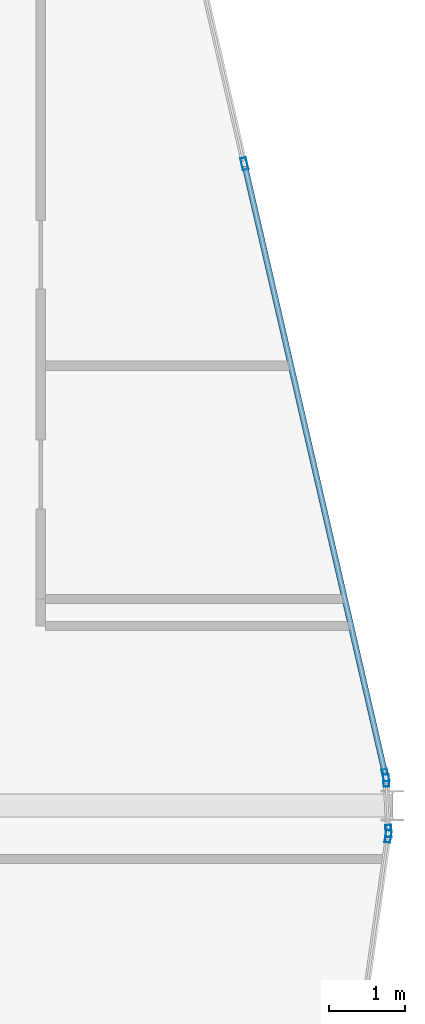
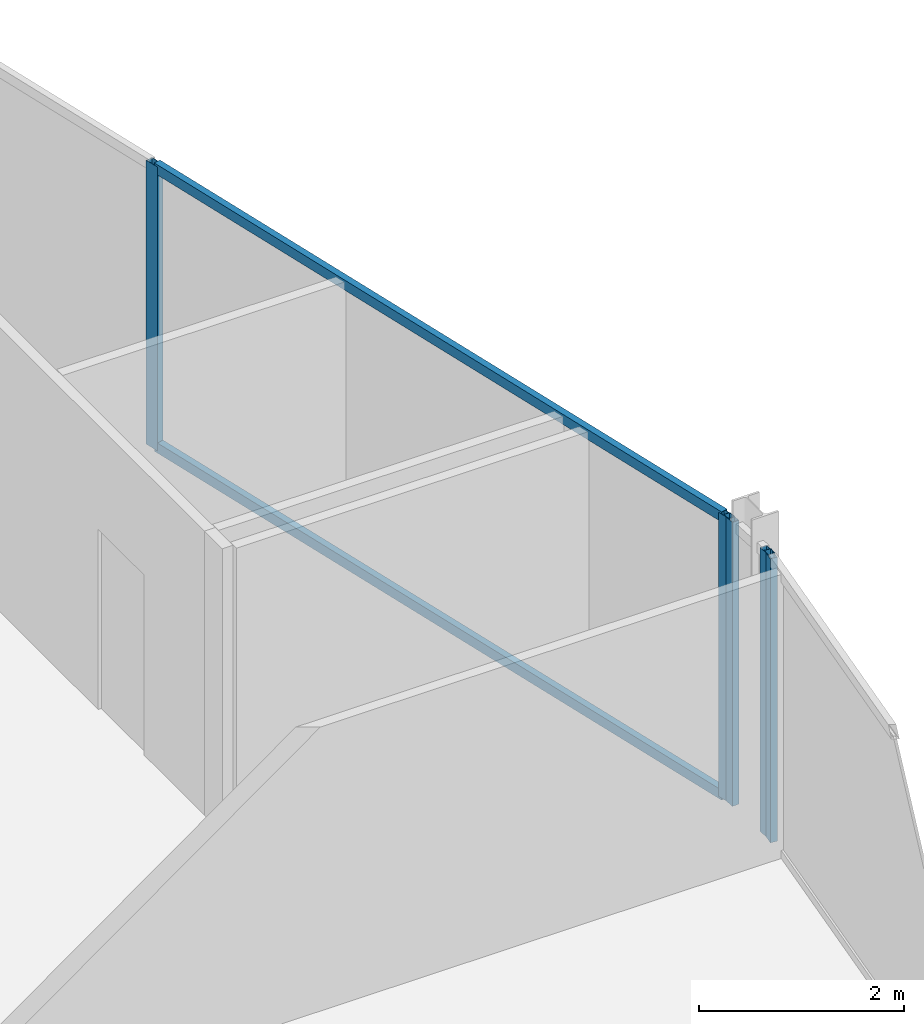
# One storey, part 16 of 31: 7 members, 3 elements without a shape of their own.
"""IFC4 building model written with IfcOpenShell, lengths in metres."""

from ifc_helpers import new_model, si_unit, direction, frame, origin, origin_2d, place, context, subcontext, project, spatial, hollow_rectangle, extrude, material, layer, layer_set, material_profile, profile_set, type_object, element, aggregate, save


model = new_model("IFC4")

# Units and contexts
model_context = context("Model", 3, precision=1e-05, world=origin(), true_north=direction((0.0, 1.0)))
body_context = subcontext(model_context, "Body", "Model", "MODEL_VIEW")
ifc_project = project(units=[si_unit("LENGTHUNIT", "METRE"), si_unit("AREAUNIT", "SQUARE_METRE"), si_unit("VOLUMEUNIT", "CUBIC_METRE"), si_unit("PLANEANGLEUNIT", "RADIAN"), si_unit("MASSUNIT", "GRAM", prefix="KILO")], contexts=[model_context])

# Site, building, storey
site_placement = place(None, origin())
site = spatial("IfcSite", under=ifc_project, at=site_placement, CompositionType="ELEMENT")
building_placement = place(site_placement, origin())
building = spatial("IfcBuilding", under=site, at=building_placement, Name="Keshet Zoharim Tower", CompositionType="ELEMENT")
storey_placement = place(building_placement, frame((0.0, 0.0, 276.89990234375)))
storey = spatial("IfcBuildingStorey", under=building, at=storey_placement, Name="L69", CompositionType="ELEMENT", Elevation=276.89990234375)

# Curtain wall, members
ifc_material = material(Name="Aluminium 6063-T6", Category="aluminium")
ifc_layer = layer(ifc_material, 0.260009765625)
ifc_layer_set = layer_set([ifc_layer], Name="Aluminium 6063-T6")
curtain_wall_type = type_object("IfcCurtainWallType", Name="CW-SYS-06", PredefinedType="NOTDEFINED", material=ifc_layer_set)
curtain_wall_1_placement = place(storey_placement, origin())
curtain_wall_1 = element("IfcCurtainWall", 1, at=curtain_wall_1_placement, inside=storey, type_object=curtain_wall_type, Name="L69 Unitised Curtain Wall 09", PredefinedType="NOTDEFINED")
ifc_material_profile_1 = material_profile(ifc_material, hollow_rectangle(XDim=0.074951171875, YDim=0.159912109375, WallThickness=0.00390625, at=origin_2d()), Name="MUL-75x160")
ifc_profile_set_1 = profile_set([ifc_material_profile_1], Name="Aluminium 6063-T6")
member_type_1 = type_object("IfcMemberType", Name="CWM-M15", PredefinedType="MULLION", material=ifc_profile_set_1)
member_1_placement = place(storey_placement, frame((43.063232421875, 36.291259765625, 0.0), z_axis=(0.0, 0.0, 1.0), x_axis=(0.974398012932, 0.224829963294, 0.0)))
member_1 = element("IfcMember", 2, at=member_1_placement, type_object=member_type_1, Name="CW-06 mullion 3", PredefinedType="MULLION", context=body_context, shape_type="SweptSolid", body=[
    extrude(hollow_rectangle(XDim=0.074951171875, YDim=0.159912109375, WallThickness=0.00390625, at=origin_2d()), origin(), (0.0, 0.0, 1.0), 3.39013671875),
])
member_2_placement = place(storey_placement, frame((44.908203125, 28.296142578125, 0.0), z_axis=(0.0, 0.0, 1.0), x_axis=(0.974398012932, 0.224829963294, 0.0)))
member_2 = element("IfcMember", 3, at=member_2_placement, type_object=member_type_1, Name="CW-06 mullion 4", PredefinedType="MULLION", context=body_context, shape_type="SweptSolid", body=[
    extrude(hollow_rectangle(XDim=0.074951171875, YDim=0.159912109375, WallThickness=0.00390625, at=origin_2d()), origin(), (0.0, 0.0, 1.0), 3.39013671875),
])

curtain_wall_2_placement = place(storey_placement, origin())
curtain_wall_2 = element("IfcCurtainWall", 4, at=curtain_wall_2_placement, inside=storey, type_object=curtain_wall_type, Name="L69 Unitised Curtain Wall 10", PredefinedType="NOTDEFINED")
member_3_placement = place(storey_placement, frame((44.91748046875, 28.22705078125, 0.0), z_axis=(0.0, 0.0, 1.0), x_axis=(0.999040601801, 0.043793560626, 0.0)))
member_3 = element("IfcMember", 5, at=member_3_placement, type_object=member_type_1, Name="CW-06 mullion 1", PredefinedType="MULLION", context=body_context, shape_type="SweptSolid", body=[
    extrude(hollow_rectangle(XDim=0.074951171875, YDim=0.159912109375, WallThickness=0.00390625, at=origin_2d()), origin(), (0.0, 0.0, 1.0), 3.39013671875),
])
member_4_placement = place(storey_placement, frame((44.946533203125, 27.56689453125, 0.0), z_axis=(0.0, 0.0, 1.0), x_axis=(0.999040601801, 0.043793560626, 0.0)))
member_4 = element("IfcMember", 6, at=member_4_placement, type_object=member_type_1, Name="CW-06 mullion 2", PredefinedType="MULLION", context=body_context, shape_type="SweptSolid", body=[
    extrude(hollow_rectangle(XDim=0.074951171875, YDim=0.159912109375, WallThickness=0.00390625, at=origin_2d()), origin(), (0.0, 0.0, 1.0), 3.39013671875),
])
aggregate(curtain_wall_2, [member_3, member_4])

# Curtain wall, member
curtain_wall_3_placement = place(storey_placement, origin())
curtain_wall_3 = element("IfcCurtainWall", 7, at=curtain_wall_3_placement, inside=storey, type_object=curtain_wall_type, Name="L69 Unitised Curtain Wall 11", PredefinedType="NOTDEFINED")
member_5_placement = place(storey_placement, frame((44.943115234375, 27.497314453125, 0.0), z_axis=(0.0, 0.0, 1.0), x_axis=(0.990132057422, -0.140137464177, 0.0)))
member_5 = element("IfcMember", 8, at=member_5_placement, type_object=member_type_1, Name="CW-06 mullion 1", PredefinedType="MULLION", context=body_context, shape_type="SweptSolid", body=[
    extrude(hollow_rectangle(XDim=0.074951171875, YDim=0.159912109375, WallThickness=0.00390625, at=origin_2d()), origin(), (0.0, 0.0, 1.0), 3.39013671875),
])
aggregate(curtain_wall_3, [member_5])

# Member
ifc_material_profile_2 = material_profile(ifc_material, hollow_rectangle(XDim=0.074951171875, YDim=0.1201171875, WallThickness=0.00390625, at=origin_2d()), Name="TRN-75x120")
ifc_profile_set_2 = profile_set([ifc_material_profile_2], Name="Aluminium 6063-T6")
member_type_2 = type_object("IfcMemberType", Name="CWT-T12", PredefinedType="USERDEFINED", material=ifc_profile_set_2)
member_6_placement = place(storey_placement, frame((43.0712890625, 36.25732421875, 0.03515625), z_axis=(0.224806904107, -0.974403333259, 0.0), x_axis=(0.974403333259, 0.224806904107, 0.0)))
member_6 = element("IfcMember", 9, at=member_6_placement, type_object=member_type_2, Name="CW-06 transom 3.1", ObjectType="TRANSOM", PredefinedType="USERDEFINED", context=body_context, shape_type="SweptSolid", body=[
    extrude(hollow_rectangle(XDim=0.074951171875, YDim=0.1201171875, WallThickness=0.00390625, at=origin_2d()), origin(), (0.0, 0.0, 1.0), 8.13525390625),
])

member_7_placement = place(storey_placement, frame((43.0712890625, 36.25732421875, 3.35498046875), z_axis=(0.224806904107, -0.974403333259, 0.0), x_axis=(0.974403333259, 0.224806904107, 0.0)))
member_7 = element("IfcMember", 10, at=member_7_placement, type_object=member_type_2, Name="CW-06 transom 3.2", ObjectType="TRANSOM", PredefinedType="USERDEFINED", context=body_context, shape_type="SweptSolid", body=[
    extrude(hollow_rectangle(XDim=0.074951171875, YDim=0.1201171875, WallThickness=0.00390625, at=origin_2d()), origin(), (0.0, 0.0, 1.0), 8.13525390625),
])

aggregate(curtain_wall_1, [member_1, member_2, member_6, member_7])

save(model, "model.ifc")
